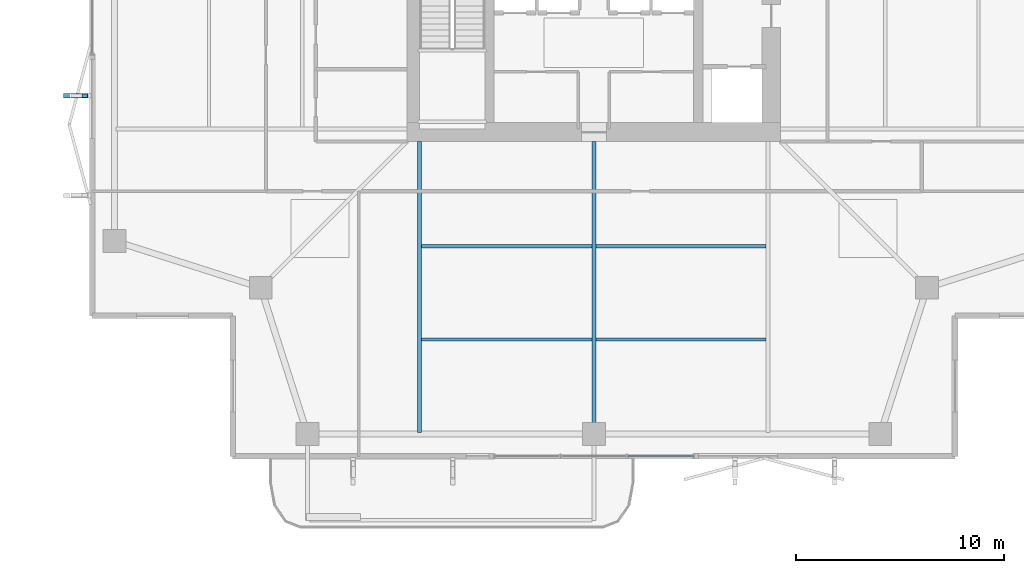
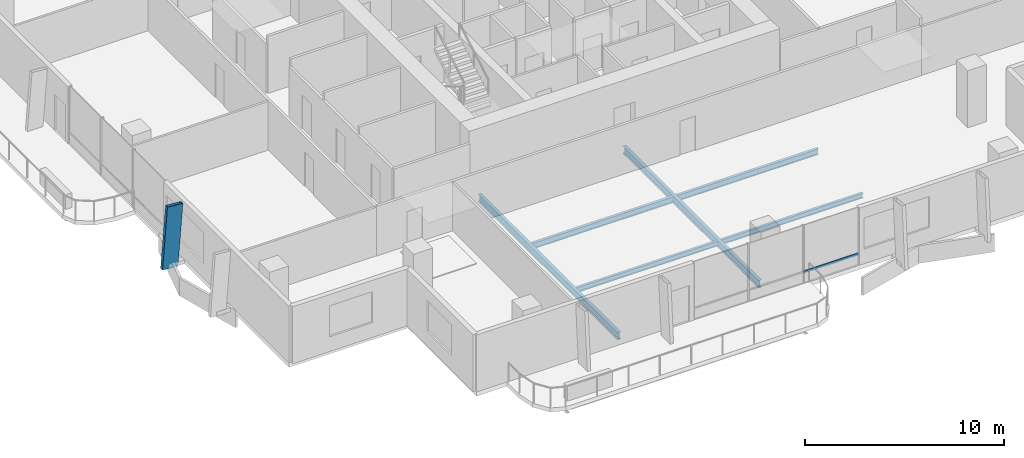
# One storey, part 3 of 25: 6 beams, 2 members, 1 element without a shape of its own.
"""IFC4 building model written with IfcOpenShell, lengths in metres."""

from ifc_helpers import new_model, si_unit, direction, frame, origin, origin_2d, place, context, subcontext, project, spatial, hollow_rectangle, i_section, extrude, material, layer, layer_set, material_profile, profile_set, type_object, element, aggregate, save


model = new_model("IFC4")

# Units and contexts
model_context = context("Model", 3, precision=1e-05, world=origin(), true_north=direction((0.0, 1.0)))
body_context = subcontext(model_context, "Body", "Model", "MODEL_VIEW")
ifc_project = project(units=[si_unit("LENGTHUNIT", "METRE"), si_unit("AREAUNIT", "SQUARE_METRE"), si_unit("VOLUMEUNIT", "CUBIC_METRE"), si_unit("PLANEANGLEUNIT", "RADIAN"), si_unit("MASSUNIT", "GRAM", prefix="KILO")], contexts=[model_context])

# Site, building, storey
site_placement = place(None, origin())
site = spatial("IfcSite", under=ifc_project, at=site_placement, CompositionType="ELEMENT")
building_placement = place(site_placement, origin())
building = spatial("IfcBuilding", under=site, at=building_placement, Name="Belovzor Exchange Tower", CompositionType="ELEMENT")
storey_placement = place(building_placement, frame((0.0, 0.0, 183.300048828125)))
storey = spatial("IfcBuildingStorey", under=building, at=storey_placement, Name="L45", CompositionType="ELEMENT", Elevation=183.300048828125)

# Beams
ifc_material_1 = material(Name="Steel S355", Category="steel")
ifc_material_profile_1 = material_profile(ifc_material_1, i_section(OverallWidth=0.169921875, OverallDepth=0.360107421875, WebThickness=0.008056640625, FlangeThickness=0.0126953125, at=origin_2d()))
ifc_profile_set_1 = profile_set([ifc_material_profile_1], Name="Steel S355")
beam_type_1 = type_object("IfcBeamType", Name="Secondary Infill Floor Joist IPE 360", PredefinedType="BEAM", material=ifc_profile_set_1)
for number, where, z_axis, x_axis, name in (
    (1, (20.4951171875, 14.7509765625, -0.43505859375), (1.0, 0.0, 0.0), (0.0, 1.0, 0.0), "FJ-360 Secondary Infill Floor Joist IPE 360"),
    (2, (28.89501953125, 14.7509765625, -0.43505859375), (1.0, 0.0, 0.0), (0.0, 1.0, 0.0), "FJ-360 Secondary Infill Floor Joist IPE 360"),
):
    element("IfcBeam", number, at=place(storey_placement, frame(where, z_axis=z_axis, x_axis=x_axis)), inside=storey, type_object=beam_type_1, Name=name, PredefinedType="BEAM", context=body_context, shape_type="SweptSolid", body=[
        extrude(i_section(OverallWidth=0.169921875, OverallDepth=0.360107421875, WebThickness=0.008056640625, FlangeThickness=0.0126953125, at=origin_2d()), origin(), (0.0, 0.0, 1.0), 8.2099609375),
    ])
ifc_material_2 = material(Name="Steel S355", Category="steel")
ifc_material_profile_2 = material_profile(ifc_material_2, i_section(OverallWidth=0.14990234375, OverallDepth=0.300048828125, WebThickness=0.007080078125, FlangeThickness=0.0107421875, at=origin_2d()))
ifc_profile_set_2 = profile_set([ifc_material_profile_2], Name="Steel S355")
beam_type_2 = type_object("IfcBeamType", Name="Secondary Trim Floor Joist IPE 300", PredefinedType="BEAM", material=ifc_profile_set_2)
for number, where, z_axis, x_axis, name in (
    (3, (20.4951171875, 10.262939453125, -0.405029296875), (1.0, 0.0, 0.0), (0.0, 1.0, 0.0), "FJ-300 Secondary Trim Floor Joist IPE 300"),
    (4, (28.89501953125, 10.262939453125, -0.405029296875), (1.0, 0.0, 0.0), (0.0, 1.0, 0.0), "FJ-300 Secondary Trim Floor Joist IPE 300"),
):
    element("IfcBeam", number, at=place(storey_placement, frame(where, z_axis=z_axis, x_axis=x_axis)), inside=storey, type_object=beam_type_2, Name=name, PredefinedType="BEAM", context=body_context, shape_type="SweptSolid", body=[
        extrude(i_section(OverallWidth=0.14990234375, OverallDepth=0.300048828125, WebThickness=0.007080078125, FlangeThickness=0.0107421875, at=origin_2d()), origin(), (0.0, 0.0, 1.0), 8.2099609375),
    ])

# Member
ifc_material_3 = material(Name="Extruded Architectural Terracotta on Steel S355 Carrier", Category="masonry")
ifc_material_profile_3 = material_profile(ifc_material_3, hollow_rectangle(XDim=0.199951171875, YDim=0.89990234375, WallThickness=0.011962890625, at=origin_2d()))
ifc_profile_set_3 = profile_set([ifc_material_profile_3], Name="Extruded Architectural Terracotta on Steel S355 Carrier")
member_type_1 = type_object("IfcMemberType", Name="Sweeping Terracotta Baguette Fin Assembly 1250", PredefinedType="USERDEFINED", material=ifc_profile_set_3)
member_1_placement = place(storey_placement, frame((3.68896484375, 22.0, -0.255126953125), z_axis=(0.076080932854, 0.0, 0.997101645599), x_axis=(0.0, 1.0, 0.0)))
element("IfcMember", 5, at=member_1_placement, inside=storey, type_object=member_type_1, Name="FIN-TC125 Terracotta Facade Fin L45 W2", ObjectType="FIN", PredefinedType="USERDEFINED", context=body_context, shape_type="SweptSolid", body=[
    extrude(hollow_rectangle(XDim=0.199951171875, YDim=0.89990234375, WallThickness=0.011962890625, at=origin_2d()), origin(), (0.0, 0.0, 1.0), 3.760986328125),
])

# Curtain wall, member
ifc_material_4 = material(Name="Anodised Aluminium Framing", Category="aluminium")
ifc_layer = layer(ifc_material_4, 0.179931640625)
ifc_layer_set = layer_set([ifc_layer], Name="Anodised Aluminium Framing")
curtain_wall_type = type_object("IfcCurtainWallType", Name="Recessed Loggia Low-Iron Triple-Glazed Curtain Wall", PredefinedType="NOTDEFINED", material=ifc_layer_set)
curtain_wall_placement = place(storey_placement, origin())
curtain_wall = element("IfcCurtainWall", 6, at=curtain_wall_placement, inside=storey, type_object=curtain_wall_type, Name="CW3 Recessed Loggia Low-Iron Triple-Glazed Curtain Wall L45", PredefinedType="NOTDEFINED")
ifc_material_5 = material(Name="Steel S355", Category="steel")
ifc_material_profile_4 = material_profile(ifc_material_5, hollow_rectangle(XDim=0.06005859375, YDim=0.14990234375, WallThickness=0.00390625, at=origin_2d()))
ifc_profile_set_4 = profile_set([ifc_material_profile_4], Name="Steel S355")
member_type_2 = type_object("IfcMemberType", Name="Thermally Broken Curtain Wall Transom 150x60", PredefinedType="USERDEFINED", material=ifc_profile_set_4)
member_2_placement = place(storey_placement, frame((33.592041015625, 4.6298828125, 0.62890625), z_axis=(-1.0, 0.0, 0.0), x_axis=(0.0, -1.0, 0.0)))
member_2 = element("IfcMember", 7, at=member_2_placement, type_object=member_type_2, Name="CW-T150 Curtain Wall Transom 1", ObjectType="TRANSOM", PredefinedType="USERDEFINED", context=body_context, shape_type="SweptSolid", body=[
    extrude(hollow_rectangle(XDim=0.06005859375, YDim=0.14990234375, WallThickness=0.00390625, at=origin_2d()), origin(), (0.0, 0.0, 1.0), 3.18408203125),
])
aggregate(curtain_wall, [member_2])

# Beams
ifc_material_6 = material(Name="Steel S355", Category="steel")
ifc_material_profile_5 = material_profile(ifc_material_6, i_section(OverallWidth=0.18994140625, OverallDepth=0.449951171875, WebThickness=0.009521484375, FlangeThickness=0.0146484375, at=origin_2d()))
ifc_profile_set_5 = profile_set([ifc_material_profile_5], Name="Steel S355")
beam_type_3 = type_object("IfcBeamType", Name="Zone 2-4 Radial Composite Floor Beam IPE 450", PredefinedType="BEAM", material=ifc_profile_set_5)
beam_1_placement = place(storey_placement, frame((20.39990234375, 19.800048828125, -0.47998046875), z_axis=(0.0, -1.0, 0.0), x_axis=(1.0, 0.0, 0.0)))
element("IfcBeam", 8, at=beam_1_placement, inside=storey, type_object=beam_type_3, Name="FB-450 Zone 2-4 Radial Composite Floor Beam IPE 450", PredefinedType="BEAM", context=body_context, shape_type="SweptSolid", body=[
    extrude(i_section(OverallWidth=0.18994140625, OverallDepth=0.449951171875, WebThickness=0.009521484375, FlangeThickness=0.0146484375, at=origin_2d()), origin(), (0.0, 0.0, 1.0), 14.025146484375),
])
beam_2_placement = place(storey_placement, frame((28.800048828125, 19.800048828125, -0.47998046875), z_axis=(0.0, -1.0, 0.0), x_axis=(1.0, 0.0, 0.0)))
element("IfcBeam", 9, at=beam_2_placement, inside=storey, type_object=beam_type_3, Name="FB-450 Zone 2-4 Radial Composite Floor Beam IPE 450", PredefinedType="BEAM", context=body_context, shape_type="SweptSolid", body=[
    extrude(i_section(OverallWidth=0.18994140625, OverallDepth=0.449951171875, WebThickness=0.009521484375, FlangeThickness=0.0146484375, at=origin_2d()), origin(), (0.0, 0.0, 1.0), 13.615966796875),
])

save(model, "model.ifc")
